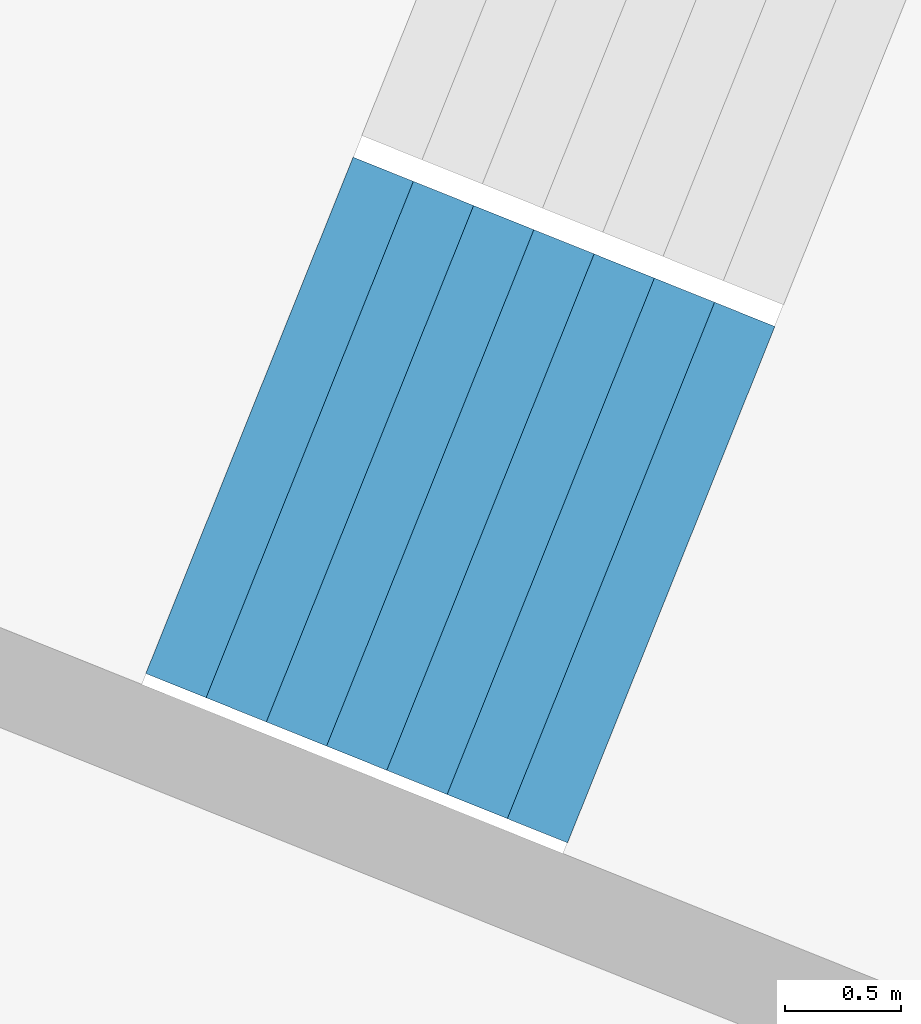
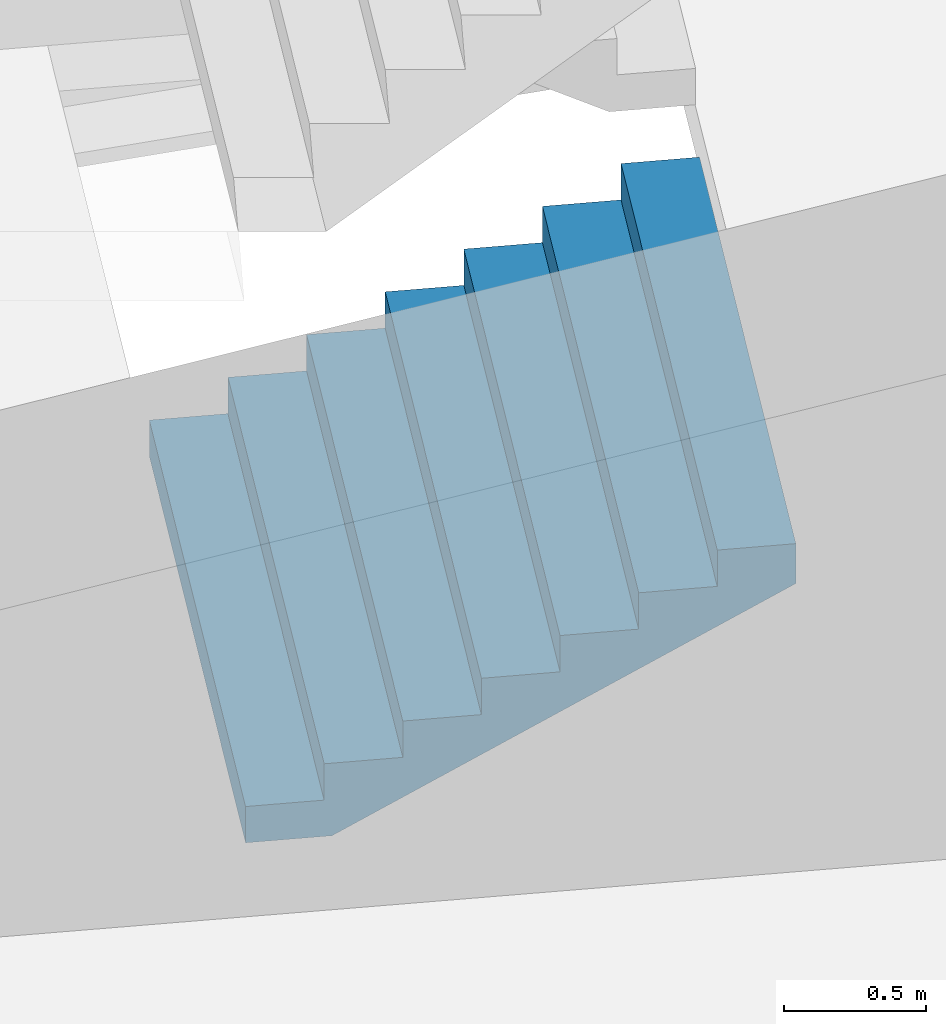
# One storey, part 49 of 73: 1 stair flight, 1 element without a shape of its own.
"""IFC4 building model written with IfcOpenShell, lengths in metres."""

from ifc_helpers import new_model, si_unit, direction, frame, origin, place, context, subcontext, project, spatial, triangles, material, type_object, element, aggregate, save


model = new_model("IFC4")

# Units and contexts
model_context = context("Model", 3, precision=1e-05, world=origin(), true_north=direction((0.0, 1.0)))
body_context = subcontext(model_context, "Body", "Model", "MODEL_VIEW")
ifc_project = project(units=[si_unit("LENGTHUNIT", "METRE"), si_unit("AREAUNIT", "SQUARE_METRE"), si_unit("VOLUMEUNIT", "CUBIC_METRE"), si_unit("PLANEANGLEUNIT", "RADIAN"), si_unit("MASSUNIT", "GRAM", prefix="KILO")], contexts=[model_context])

# Site, building, storey
site_placement = place(None, origin())
site = spatial("IfcSite", under=ifc_project, at=site_placement, CompositionType="ELEMENT")
building_placement = place(site_placement, origin())
building = spatial("IfcBuilding", under=site, at=building_placement, Name="Lantaw Convention Tower", CompositionType="ELEMENT")
storey_placement = place(building_placement, frame((0.0, 0.0, 27.0)))
storey = spatial("IfcBuildingStorey", under=building, at=storey_placement, Name="L04", CompositionType="ELEMENT", Elevation=27.0)

# Stair, stair flight
ifc_material = material(Name="Concrete C35/45", Category="concrete")
stair_type = type_object("IfcStairType", Name="Exit stair 2400 riser 156.25 in 4 flights", PredefinedType="HALF_TURN_STAIR", material=ifc_material)
stair_placement = place(storey_placement, origin())
stair = element("IfcStair", 1, at=stair_placement, inside=storey, type_object=stair_type, Name="Podium exit stair P12 L04", PredefinedType="HALF_TURN_STAIR")
stair_flight_type = type_object("IfcStairFlightType", Name="Stair flight 2400 riser 156.25", PredefinedType="STRAIGHT", material=ifc_material)
stair_flight_placement = place(storey_placement, frame((29.08642578125, -13.0234375, 0.0), z_axis=(0.0, 0.0, 1.0), x_axis=(0.928015818512, -0.372540790506, 0.0)))
stair_flight = element("IfcStairFlight", 2, at=stair_flight_placement, type_object=stair_flight_type, Name="P12 flight 1", NumberOfRisers=8, NumberOfTreads=7, PredefinedType="STRAIGHT", RiserHeight=0.15625, TreadLength=0.28, context=body_context, shape_type="Tessellation", body=[
    triangles([(0.0, 1.199951171875, 0.0), (0.0, 1.199951171875, 0.15625), (0.28, 1.199951171875, 0.0), (0.28, 1.199951171875, 0.15625), (0.28, 1.199951171875, 0.3125), (0.3076200632058044, 1.199951171875, 0.0), (0.3076200632058044, 1.199951171875, 0.3125), (0.56, 1.199951171875, 0.14083701830033238), (0.56, 1.199951171875, 0.3125), (0.56, 1.199951171875, 0.46875), (0.8400000000000001, 1.199951171875, 0.29708701830033235), (0.8400000000000001, 1.199951171875, 0.46875), (0.8400000000000001, 1.199951171875, 0.625), (1.12, 1.199951171875, 0.45333701830033235), (1.12, 1.199951171875, 0.625), (1.12, 1.199951171875, 0.78125), (1.4000000000000001, 1.199951171875, 0.6095870183003324), (1.4000000000000001, 1.199951171875, 0.78125), (1.4000000000000001, 1.199951171875, 0.9375), (1.6800000000000002, 1.199951171875, 0.7658370183003324), (1.6800000000000002, 1.199951171875, 0.9375), (1.6800000000000002, 1.199951171875, 1.09375), (1.9600000000000002, 1.199951171875, 0.9220870183003324), (1.9600000000000002, 1.199951171875, 1.09375), (0.0, -1.199951171875, 0.0), (0.0, -1.199951171875, 0.15625), (0.28, -1.199951171875, 0.0), (0.28, -1.199951171875, 0.15625), (0.28, -1.199951171875, 0.3125), (0.3076200632058044, -1.199951171875, 0.0), (0.3076200632058044, -1.199951171875, 0.3125), (0.56, -1.199951171875, 0.14083701830033238), (0.56, -1.199951171875, 0.3125), (0.56, -1.199951171875, 0.46875), (0.8400000000000001, -1.199951171875, 0.29708701830033235), (0.8400000000000001, -1.199951171875, 0.46875), (0.8400000000000001, -1.199951171875, 0.625), (1.12, -1.199951171875, 0.45333701830033235), (1.12, -1.199951171875, 0.625), (1.12, -1.199951171875, 0.78125), (1.4000000000000001, -1.199951171875, 0.6095870183003324), (1.4000000000000001, -1.199951171875, 0.78125), (1.4000000000000001, -1.199951171875, 0.9375), (1.6800000000000002, -1.199951171875, 0.7658370183003324), (1.6800000000000002, -1.199951171875, 0.9375), (1.6800000000000002, -1.199951171875, 1.09375), (1.9600000000000002, -1.199951171875, 0.9220870183003324), (1.9600000000000002, -1.199951171875, 1.09375), (0.0, 0.239990234375, 0.15625), (0.0, 0.239990234375, 0.0), (0.0, 0.1919921875, 0.15625), (0.0, 0.1919921875, 0.0), (0.0, 0.143994140625, 0.15625), (0.0, 0.143994140625, 0.0), (0.0, 0.09599609375, 0.15625), (0.0, 0.09599609375, 0.0), (0.0, 0.047998046875, 0.15625), (0.0, 0.047998046875, 0.0), (0.0, 0.0, 0.15625), (0.0, 0.0, 0.0), (0.0, -0.047998046875, 0.15625), (0.0, -0.047998046875, 0.0), (0.0, -0.09599609375, 0.15625), (0.0, -0.09599609375, 0.0), (0.0, -0.143994140625, 0.15625), (0.0, -0.143994140625, 0.0), (0.0, -0.1919921875, 0.15625), (0.0, -0.1919921875, 0.0), (0.0, -0.239990234375, 0.15625), (0.0, -0.239990234375, 0.0), (0.28, 0.239990234375, 0.3125), (0.28, 0.239990234375, 0.15625), (0.28, 0.1919921875, 0.3125), (0.28, 0.1919921875, 0.15625), (0.28, 0.143994140625, 0.3125), (0.28, 0.143994140625, 0.15625), (0.28, 0.09599609375, 0.3125), (0.28, 0.09599609375, 0.15625), (0.28, 0.047998046875, 0.3125), (0.28, 0.047998046875, 0.15625), (0.28, 0.0, 0.3125), (0.28, 0.0, 0.15625), (0.28, -0.047998046875, 0.3125), (0.28, -0.047998046875, 0.15625), (0.28, -0.09599609375, 0.3125), (0.28, -0.09599609375, 0.15625), (0.28, -0.143994140625, 0.3125), (0.28, -0.143994140625, 0.15625), (0.28, -0.1919921875, 0.3125), (0.28, -0.1919921875, 0.15625), (0.28, -0.239990234375, 0.3125), (0.28, -0.239990234375, 0.15625), (0.56, 0.239990234375, 0.46875), (0.56, 0.239990234375, 0.3125), (0.56, 0.1919921875, 0.46875), (0.56, 0.1919921875, 0.3125), (0.56, 0.143994140625, 0.46875), (0.56, 0.143994140625, 0.3125), (0.56, 0.09599609375, 0.46875), (0.56, 0.09599609375, 0.3125), (0.56, 0.047998046875, 0.46875), (0.56, 0.047998046875, 0.3125), (0.56, 0.0, 0.46875), (0.56, 0.0, 0.3125), (0.56, -0.047998046875, 0.46875), (0.56, -0.047998046875, 0.3125), (0.56, -0.09599609375, 0.46875), (0.56, -0.09599609375, 0.3125), (0.56, -0.143994140625, 0.46875), (0.56, -0.143994140625, 0.3125), (0.56, -0.1919921875, 0.46875), (0.56, -0.1919921875, 0.3125), (0.56, -0.239990234375, 0.46875), (0.56, -0.239990234375, 0.3125), (0.8400000000000001, 0.239990234375, 0.625), (0.8400000000000001, 0.239990234375, 0.46875), (0.8400000000000001, 0.1919921875, 0.625), (0.8400000000000001, 0.1919921875, 0.46875), (0.8400000000000001, 0.143994140625, 0.625), (0.8400000000000001, 0.143994140625, 0.46875), (0.8400000000000001, 0.09599609375, 0.625), (0.8400000000000001, 0.09599609375, 0.46875), (0.8400000000000001, 0.047998046875, 0.625), (0.8400000000000001, 0.047998046875, 0.46875), (0.8400000000000001, 0.0, 0.625), (0.8400000000000001, 0.0, 0.46875), (0.8400000000000001, -0.047998046875, 0.625), (0.8400000000000001, -0.047998046875, 0.46875), (0.8400000000000001, -0.09599609375, 0.625), (0.8400000000000001, -0.09599609375, 0.46875), (0.8400000000000001, -0.143994140625, 0.625), (0.8400000000000001, -0.143994140625, 0.46875), (0.8400000000000001, -0.1919921875, 0.625), (0.8400000000000001, -0.1919921875, 0.46875), (0.8400000000000001, -0.239990234375, 0.625), (0.8400000000000001, -0.239990234375, 0.46875), (1.12, 0.239990234375, 0.78125), (1.12, 0.239990234375, 0.625), (1.12, 0.1919921875, 0.78125), (1.12, 0.1919921875, 0.625), (1.12, 0.143994140625, 0.78125), (1.12, 0.143994140625, 0.625), (1.12, 0.09599609375, 0.78125), (1.12, 0.09599609375, 0.625), (1.12, 0.047998046875, 0.78125), (1.12, 0.047998046875, 0.625), (1.12, 0.0, 0.78125), (1.12, 0.0, 0.625), (1.12, -0.047998046875, 0.78125), (1.12, -0.047998046875, 0.625), (1.12, -0.09599609375, 0.78125), (1.12, -0.09599609375, 0.625), (1.12, -0.143994140625, 0.78125), (1.12, -0.143994140625, 0.625), (1.12, -0.1919921875, 0.78125), (1.12, -0.1919921875, 0.625), (1.12, -0.239990234375, 0.78125), (1.12, -0.239990234375, 0.625), (1.4000000000000001, 0.239990234375, 0.9375), (1.4000000000000001, 0.239990234375, 0.78125), (1.4000000000000001, 0.1919921875, 0.9375), (1.4000000000000001, 0.1919921875, 0.78125), (1.4000000000000001, 0.143994140625, 0.9375), (1.4000000000000001, 0.143994140625, 0.78125), (1.4000000000000001, 0.09599609375, 0.9375), (1.4000000000000001, 0.09599609375, 0.78125), (1.4000000000000001, 0.047998046875, 0.9375), (1.4000000000000001, 0.047998046875, 0.78125), (1.4000000000000001, 0.0, 0.9375), (1.4000000000000001, 0.0, 0.78125), (1.4000000000000001, -0.047998046875, 0.9375), (1.4000000000000001, -0.047998046875, 0.78125), (1.4000000000000001, -0.09599609375, 0.9375), (1.4000000000000001, -0.09599609375, 0.78125), (1.4000000000000001, -0.143994140625, 0.9375), (1.4000000000000001, -0.143994140625, 0.78125), (1.4000000000000001, -0.1919921875, 0.9375), (1.4000000000000001, -0.1919921875, 0.78125), (1.4000000000000001, -0.239990234375, 0.9375), (1.4000000000000001, -0.239990234375, 0.78125), (1.6800000000000002, 0.239990234375, 1.09375), (1.6800000000000002, 0.239990234375, 0.9375), (1.6800000000000002, 0.1919921875, 1.09375), (1.6800000000000002, 0.1919921875, 0.9375), (1.6800000000000002, 0.143994140625, 1.09375), (1.6800000000000002, 0.143994140625, 0.9375), (1.6800000000000002, 0.09599609375, 1.09375), (1.6800000000000002, 0.09599609375, 0.9375), (1.6800000000000002, 0.047998046875, 1.09375), (1.6800000000000002, 0.047998046875, 0.9375), (1.6800000000000002, 0.0, 1.09375), (1.6800000000000002, 0.0, 0.9375), (1.6800000000000002, -0.047998046875, 1.09375), (1.6800000000000002, -0.047998046875, 0.9375), (1.6800000000000002, -0.09599609375, 1.09375), (1.6800000000000002, -0.09599609375, 0.9375), (1.6800000000000002, -0.143994140625, 1.09375), (1.6800000000000002, -0.143994140625, 0.9375), (1.6800000000000002, -0.1919921875, 1.09375), (1.6800000000000002, -0.1919921875, 0.9375), (1.6800000000000002, -0.239990234375, 1.09375), (1.6800000000000002, -0.239990234375, 0.9375), (0.3076200632058044, 0.239990234375, 0.3125), (0.3076200632058044, 0.1919921875, 0.3125), (0.3076200632058044, 0.143994140625, 0.3125), (0.3076200632058044, 0.09599609375, 0.3125), (0.3076200632058044, 0.047998046875, 0.3125), (0.3076200632058044, 0.0, 0.3125), (0.3076200632058044, -0.047998046875, 0.3125), (0.3076200632058044, -0.09599609375, 0.3125), (0.3076200632058044, -0.143994140625, 0.3125), (0.3076200632058044, -0.1919921875, 0.3125), (0.3076200632058044, -0.239990234375, 0.3125), (1.9600000000000002, 0.239990234375, 1.09375), (1.9600000000000002, 0.1919921875, 1.09375), (1.9600000000000002, 0.143994140625, 1.09375), (1.9600000000000002, 0.09599609375, 1.09375), (1.9600000000000002, 0.047998046875, 1.09375), (1.9600000000000002, 0.0, 1.09375), (1.9600000000000002, -0.047998046875, 1.09375), (1.9600000000000002, -0.09599609375, 1.09375), (1.9600000000000002, -0.143994140625, 1.09375), (1.9600000000000002, -0.1919921875, 1.09375), (1.9600000000000002, -0.239990234375, 1.09375), (1.9600000000000002, 0.239990234375, 0.9220870183003324), (1.9600000000000002, 0.1919921875, 0.9220870183003324), (1.9600000000000002, 0.143994140625, 0.9220870183003324), (1.9600000000000002, 0.09599609375, 0.9220870183003324), (1.9600000000000002, 0.047998046875, 0.9220870183003324), (1.9600000000000002, 0.0, 0.9220870183003324), (1.9600000000000002, -0.047998046875, 0.9220870183003324), (1.9600000000000002, -0.09599609375, 0.9220870183003324), (1.9600000000000002, -0.143994140625, 0.9220870183003324), (1.9600000000000002, -0.1919921875, 0.9220870183003324), (1.9600000000000002, -0.239990234375, 0.9220870183003324), (1.6800000000000002, 0.239990234375, 0.7658370183003324), (1.6800000000000002, 0.1919921875, 0.7658370183003324), (1.6800000000000002, 0.143994140625, 0.7658370183003324), (1.6800000000000002, 0.09599609375, 0.7658370183003324), (1.6800000000000002, 0.047998046875, 0.7658370183003324), (1.6800000000000002, 0.0, 0.7658370183003324), (1.6800000000000002, -0.047998046875, 0.7658370183003324), (1.6800000000000002, -0.09599609375, 0.7658370183003324), (1.6800000000000002, -0.143994140625, 0.7658370183003324), (1.6800000000000002, -0.1919921875, 0.7658370183003324), (1.6800000000000002, -0.239990234375, 0.7658370183003324), (1.4000000000000001, 0.239990234375, 0.6095870183003324), (1.4000000000000001, 0.1919921875, 0.6095870183003324), (1.4000000000000001, 0.143994140625, 0.6095870183003324), (1.4000000000000001, 0.09599609375, 0.6095870183003324), (1.4000000000000001, 0.047998046875, 0.6095870183003324), (1.4000000000000001, 0.0, 0.6095870183003324), (1.4000000000000001, -0.047998046875, 0.6095870183003324), (1.4000000000000001, -0.09599609375, 0.6095870183003324), (1.4000000000000001, -0.143994140625, 0.6095870183003324), (1.4000000000000001, -0.1919921875, 0.6095870183003324), (1.4000000000000001, -0.239990234375, 0.6095870183003324), (1.12, 0.239990234375, 0.45333701830033235), (1.12, 0.1919921875, 0.45333701830033235), (1.12, 0.143994140625, 0.45333701830033235), (1.12, 0.09599609375, 0.45333701830033235), (1.12, 0.047998046875, 0.45333701830033235), (1.12, 0.0, 0.45333701830033235), (1.12, -0.047998046875, 0.45333701830033235), (1.12, -0.09599609375, 0.45333701830033235), (1.12, -0.143994140625, 0.45333701830033235), (1.12, -0.1919921875, 0.45333701830033235), (1.12, -0.239990234375, 0.45333701830033235), (0.8400000000000001, 0.239990234375, 0.29708701830033235), (0.8400000000000001, 0.1919921875, 0.29708701830033235), (0.8400000000000001, 0.143994140625, 0.29708701830033235), (0.8400000000000001, 0.09599609375, 0.29708701830033235), (0.8400000000000001, 0.047998046875, 0.29708701830033235), (0.8400000000000001, 0.0, 0.29708701830033235), (0.8400000000000001, -0.047998046875, 0.29708701830033235), (0.8400000000000001, -0.09599609375, 0.29708701830033235), (0.8400000000000001, -0.143994140625, 0.29708701830033235), (0.8400000000000001, -0.1919921875, 0.29708701830033235), (0.8400000000000001, -0.239990234375, 0.29708701830033235), (0.56, 0.239990234375, 0.14083701830033238), (0.56, 0.1919921875, 0.14083701830033238), (0.56, 0.143994140625, 0.14083701830033238), (0.56, 0.09599609375, 0.14083701830033238), (0.56, 0.047998046875, 0.14083701830033238), (0.56, 0.0, 0.14083701830033238), (0.56, -0.047998046875, 0.14083701830033238), (0.56, -0.09599609375, 0.14083701830033238), (0.56, -0.143994140625, 0.14083701830033238), (0.56, -0.1919921875, 0.14083701830033238), (0.56, -0.239990234375, 0.14083701830033238), (0.3076200632058044, 0.239990234375, 0.0), (0.3076200632058044, 0.1919921875, 0.0), (0.3076200632058044, 0.143994140625, 0.0), (0.3076200632058044, 0.09599609375, 0.0), (0.3076200632058044, 0.047998046875, 0.0), (0.3076200632058044, 0.0, 0.0), (0.3076200632058044, -0.047998046875, 0.0), (0.3076200632058044, -0.09599609375, 0.0), (0.3076200632058044, -0.143994140625, 0.0), (0.3076200632058044, -0.1919921875, 0.0), (0.3076200632058044, -0.239990234375, 0.0), (0.28, 0.239990234375, 0.0), (0.28, 0.1919921875, 0.0), (0.28, 0.143994140625, 0.0), (0.28, 0.09599609375, 0.0), (0.28, 0.047998046875, 0.0), (0.28, 0.0, 0.0), (0.28, -0.047998046875, 0.0), (0.28, -0.09599609375, 0.0), (0.28, -0.143994140625, 0.0), (0.28, -0.1919921875, 0.0), (0.28, -0.239990234375, 0.0)], [[1, 4, 3], [1, 2, 4], [3, 4, 6], [4, 7, 6], [4, 5, 7], [6, 9, 8], [6, 7, 9], [8, 9, 11], [9, 12, 11], [9, 10, 12], [11, 12, 14], [12, 15, 14], [12, 13, 15], [14, 15, 17], [15, 18, 17], [15, 16, 18], [17, 18, 20], [18, 21, 20], [18, 19, 21], [20, 21, 23], [21, 24, 23], [21, 22, 24], [25, 27, 28], [25, 28, 26], [27, 30, 28], [28, 30, 31], [28, 31, 29], [30, 32, 33], [30, 33, 31], [32, 35, 33], [33, 35, 36], [33, 36, 34], [35, 38, 36], [36, 38, 39], [36, 39, 37], [38, 41, 39], [39, 41, 42], [39, 42, 40], [41, 44, 42], [42, 44, 45], [42, 45, 43], [44, 47, 45], [45, 47, 48], [45, 48, 46], [1, 49, 2], [1, 50, 49], [50, 51, 49], [50, 52, 51], [52, 53, 51], [52, 54, 53], [54, 55, 53], [54, 56, 55], [56, 57, 55], [56, 58, 57], [58, 59, 57], [58, 60, 59], [60, 61, 59], [60, 62, 61], [62, 63, 61], [62, 64, 63], [64, 65, 63], [64, 66, 65], [66, 67, 65], [66, 68, 67], [68, 69, 67], [68, 70, 69], [70, 26, 69], [70, 25, 26], [4, 71, 5], [4, 72, 71], [72, 73, 71], [72, 74, 73], [74, 75, 73], [74, 76, 75], [76, 77, 75], [76, 78, 77], [78, 79, 77], [78, 80, 79], [80, 81, 79], [80, 82, 81], [82, 83, 81], [82, 84, 83], [84, 85, 83], [84, 86, 85], [86, 87, 85], [86, 88, 87], [88, 89, 87], [88, 90, 89], [90, 91, 89], [90, 92, 91], [92, 29, 91], [92, 28, 29], [9, 93, 10], [9, 94, 93], [94, 95, 93], [94, 96, 95], [96, 97, 95], [96, 98, 97], [98, 99, 97], [98, 100, 99], [100, 101, 99], [100, 102, 101], [102, 103, 101], [102, 104, 103], [104, 105, 103], [104, 106, 105], [106, 107, 105], [106, 108, 107], [108, 109, 107], [108, 110, 109], [110, 111, 109], [110, 112, 111], [112, 113, 111], [112, 114, 113], [114, 34, 113], [114, 33, 34], [12, 115, 13], [12, 116, 115], [116, 117, 115], [116, 118, 117], [118, 119, 117], [118, 120, 119], [120, 121, 119], [120, 122, 121], [122, 123, 121], [122, 124, 123], [124, 125, 123], [124, 126, 125], [126, 127, 125], [126, 128, 127], [128, 129, 127], [128, 130, 129], [130, 131, 129], [130, 132, 131], [132, 133, 131], [132, 134, 133], [134, 135, 133], [134, 136, 135], [136, 37, 135], [136, 36, 37], [15, 137, 16], [15, 138, 137], [138, 139, 137], [138, 140, 139], [140, 141, 139], [140, 142, 141], [142, 143, 141], [142, 144, 143], [144, 145, 143], [144, 146, 145], [146, 147, 145], [146, 148, 147], [148, 149, 147], [148, 150, 149], [150, 151, 149], [150, 152, 151], [152, 153, 151], [152, 154, 153], [154, 155, 153], [154, 156, 155], [156, 157, 155], [156, 158, 157], [158, 40, 157], [158, 39, 40], [18, 159, 19], [18, 160, 159], [160, 161, 159], [160, 162, 161], [162, 163, 161], [162, 164, 163], [164, 165, 163], [164, 166, 165], [166, 167, 165], [166, 168, 167], [168, 169, 167], [168, 170, 169], [170, 171, 169], [170, 172, 171], [172, 173, 171], [172, 174, 173], [174, 175, 173], [174, 176, 175], [176, 177, 175], [176, 178, 177], [178, 179, 177], [178, 180, 179], [180, 43, 179], [180, 42, 43], [21, 181, 22], [21, 182, 181], [182, 183, 181], [182, 184, 183], [184, 185, 183], [184, 186, 185], [186, 187, 185], [186, 188, 187], [188, 189, 187], [188, 190, 189], [190, 191, 189], [190, 192, 191], [192, 193, 191], [192, 194, 193], [194, 195, 193], [194, 196, 195], [196, 197, 195], [196, 198, 197], [198, 199, 197], [198, 200, 199], [200, 201, 199], [200, 202, 201], [202, 46, 201], [202, 45, 46], [2, 72, 4], [2, 49, 72], [49, 74, 72], [49, 51, 74], [51, 76, 74], [51, 53, 76], [53, 78, 76], [53, 55, 78], [55, 80, 78], [55, 57, 80], [57, 82, 80], [57, 59, 82], [59, 84, 82], [59, 61, 84], [61, 86, 84], [61, 63, 86], [63, 88, 86], [63, 65, 88], [65, 90, 88], [65, 67, 90], [67, 92, 90], [67, 69, 92], [69, 28, 92], [69, 26, 28], [5, 203, 7], [5, 71, 203], [71, 204, 203], [71, 73, 204], [73, 205, 204], [73, 75, 205], [75, 206, 205], [75, 77, 206], [77, 207, 206], [77, 79, 207], [79, 208, 207], [79, 81, 208], [81, 209, 208], [81, 83, 209], [83, 210, 209], [83, 85, 210], [85, 211, 210], [85, 87, 211], [87, 212, 211], [87, 89, 212], [89, 213, 212], [89, 91, 213], [91, 31, 213], [91, 29, 31], [7, 94, 9], [7, 203, 94], [203, 96, 94], [203, 204, 96], [204, 98, 96], [204, 205, 98], [205, 100, 98], [205, 206, 100], [206, 102, 100], [206, 207, 102], [207, 104, 102], [207, 208, 104], [208, 106, 104], [208, 209, 106], [209, 108, 106], [209, 210, 108], [210, 110, 108], [210, 211, 110], [211, 112, 110], [211, 212, 112], [212, 114, 112], [212, 213, 114], [213, 33, 114], [213, 31, 33], [10, 116, 12], [10, 93, 116], [93, 118, 116], [93, 95, 118], [95, 120, 118], [95, 97, 120], [97, 122, 120], [97, 99, 122], [99, 124, 122], [99, 101, 124], [101, 126, 124], [101, 103, 126], [103, 128, 126], [103, 105, 128], [105, 130, 128], [105, 107, 130], [107, 132, 130], [107, 109, 132], [109, 134, 132], [109, 111, 134], [111, 136, 134], [111, 113, 136], [113, 36, 136], [113, 34, 36], [13, 138, 15], [13, 115, 138], [115, 140, 138], [115, 117, 140], [117, 142, 140], [117, 119, 142], [119, 144, 142], [119, 121, 144], [121, 146, 144], [121, 123, 146], [123, 148, 146], [123, 125, 148], [125, 150, 148], [125, 127, 150], [127, 152, 150], [127, 129, 152], [129, 154, 152], [129, 131, 154], [131, 156, 154], [131, 133, 156], [133, 158, 156], [133, 135, 158], [135, 39, 158], [135, 37, 39], [16, 160, 18], [16, 137, 160], [137, 162, 160], [137, 139, 162], [139, 164, 162], [139, 141, 164], [141, 166, 164], [141, 143, 166], [143, 168, 166], [143, 145, 168], [145, 170, 168], [145, 147, 170], [147, 172, 170], [147, 149, 172], [149, 174, 172], [149, 151, 174], [151, 176, 174], [151, 153, 176], [153, 178, 176], [153, 155, 178], [155, 180, 178], [155, 157, 180], [157, 42, 180], [157, 40, 42], [19, 182, 21], [19, 159, 182], [159, 184, 182], [159, 161, 184], [161, 186, 184], [161, 163, 186], [163, 188, 186], [163, 165, 188], [165, 190, 188], [165, 167, 190], [167, 192, 190], [167, 169, 192], [169, 194, 192], [169, 171, 194], [171, 196, 194], [171, 173, 196], [173, 198, 196], [173, 175, 198], [175, 200, 198], [175, 177, 200], [177, 202, 200], [177, 179, 202], [179, 45, 202], [179, 43, 45], [22, 214, 24], [22, 181, 214], [181, 215, 214], [181, 183, 215], [183, 216, 215], [183, 185, 216], [185, 217, 216], [185, 187, 217], [187, 218, 217], [187, 189, 218], [189, 219, 218], [189, 191, 219], [191, 220, 219], [191, 193, 220], [193, 221, 220], [193, 195, 221], [195, 222, 221], [195, 197, 222], [197, 223, 222], [197, 199, 223], [199, 224, 223], [199, 201, 224], [201, 48, 224], [201, 46, 48], [24, 225, 23], [24, 214, 225], [214, 226, 225], [214, 215, 226], [215, 227, 226], [215, 216, 227], [216, 228, 227], [216, 217, 228], [217, 229, 228], [217, 218, 229], [218, 230, 229], [218, 219, 230], [219, 231, 230], [219, 220, 231], [220, 232, 231], [220, 221, 232], [221, 233, 232], [221, 222, 233], [222, 234, 233], [222, 223, 234], [223, 235, 234], [223, 224, 235], [224, 47, 235], [224, 48, 47], [23, 236, 20], [23, 225, 236], [225, 237, 236], [225, 226, 237], [226, 238, 237], [226, 227, 238], [227, 239, 238], [227, 228, 239], [228, 240, 239], [228, 229, 240], [229, 241, 240], [229, 230, 241], [230, 242, 241], [230, 231, 242], [231, 243, 242], [231, 232, 243], [232, 244, 243], [232, 233, 244], [233, 245, 244], [233, 234, 245], [234, 246, 245], [234, 235, 246], [235, 44, 246], [235, 47, 44], [20, 247, 17], [20, 236, 247], [236, 248, 247], [236, 237, 248], [237, 249, 248], [237, 238, 249], [238, 250, 249], [238, 239, 250], [239, 251, 250], [239, 240, 251], [240, 252, 251], [240, 241, 252], [241, 253, 252], [241, 242, 253], [242, 254, 253], [242, 243, 254], [243, 255, 254], [243, 244, 255], [244, 256, 255], [244, 245, 256], [245, 257, 256], [245, 246, 257], [246, 41, 257], [246, 44, 41], [17, 258, 14], [17, 247, 258], [247, 259, 258], [247, 248, 259], [248, 260, 259], [248, 249, 260], [249, 261, 260], [249, 250, 261], [250, 262, 261], [250, 251, 262], [251, 263, 262], [251, 252, 263], [252, 264, 263], [252, 253, 264], [253, 265, 264], [253, 254, 265], [254, 266, 265], [254, 255, 266], [255, 267, 266], [255, 256, 267], [256, 268, 267], [256, 257, 268], [257, 38, 268], [257, 41, 38], [14, 269, 11], [14, 258, 269], [258, 270, 269], [258, 259, 270], [259, 271, 270], [259, 260, 271], [260, 272, 271], [260, 261, 272], [261, 273, 272], [261, 262, 273], [262, 274, 273], [262, 263, 274], [263, 275, 274], [263, 264, 275], [264, 276, 275], [264, 265, 276], [265, 277, 276], [265, 266, 277], [266, 278, 277], [266, 267, 278], [267, 279, 278], [267, 268, 279], [268, 35, 279], [268, 38, 35], [11, 280, 8], [11, 269, 280], [269, 281, 280], [269, 270, 281], [270, 282, 281], [270, 271, 282], [271, 283, 282], [271, 272, 283], [272, 284, 283], [272, 273, 284], [273, 285, 284], [273, 274, 285], [274, 286, 285], [274, 275, 286], [275, 287, 286], [275, 276, 287], [276, 288, 287], [276, 277, 288], [277, 289, 288], [277, 278, 289], [278, 290, 289], [278, 279, 290], [279, 32, 290], [279, 35, 32], [8, 291, 6], [8, 280, 291], [280, 292, 291], [280, 281, 292], [281, 293, 292], [281, 282, 293], [282, 294, 293], [282, 283, 294], [283, 295, 294], [283, 284, 295], [284, 296, 295], [284, 285, 296], [285, 297, 296], [285, 286, 297], [286, 298, 297], [286, 287, 298], [287, 299, 298], [287, 288, 299], [288, 300, 299], [288, 289, 300], [289, 301, 300], [289, 290, 301], [290, 30, 301], [290, 32, 30], [6, 302, 3], [6, 291, 302], [291, 303, 302], [291, 292, 303], [292, 304, 303], [292, 293, 304], [293, 305, 304], [293, 294, 305], [294, 306, 305], [294, 295, 306], [295, 307, 306], [295, 296, 307], [296, 308, 307], [296, 297, 308], [297, 309, 308], [297, 298, 309], [298, 310, 309], [298, 299, 310], [299, 311, 310], [299, 300, 311], [300, 312, 311], [300, 301, 312], [301, 27, 312], [301, 30, 27], [3, 50, 1], [3, 302, 50], [302, 52, 50], [302, 303, 52], [303, 54, 52], [303, 304, 54], [304, 56, 54], [304, 305, 56], [305, 58, 56], [305, 306, 58], [306, 60, 58], [306, 307, 60], [307, 62, 60], [307, 308, 62], [308, 64, 62], [308, 309, 64], [309, 66, 64], [309, 310, 66], [310, 68, 66], [310, 311, 68], [311, 70, 68], [311, 312, 70], [312, 25, 70], [312, 27, 25]], closed=True),
])
aggregate(stair, [stair_flight])

save(model, "model.ifc")
